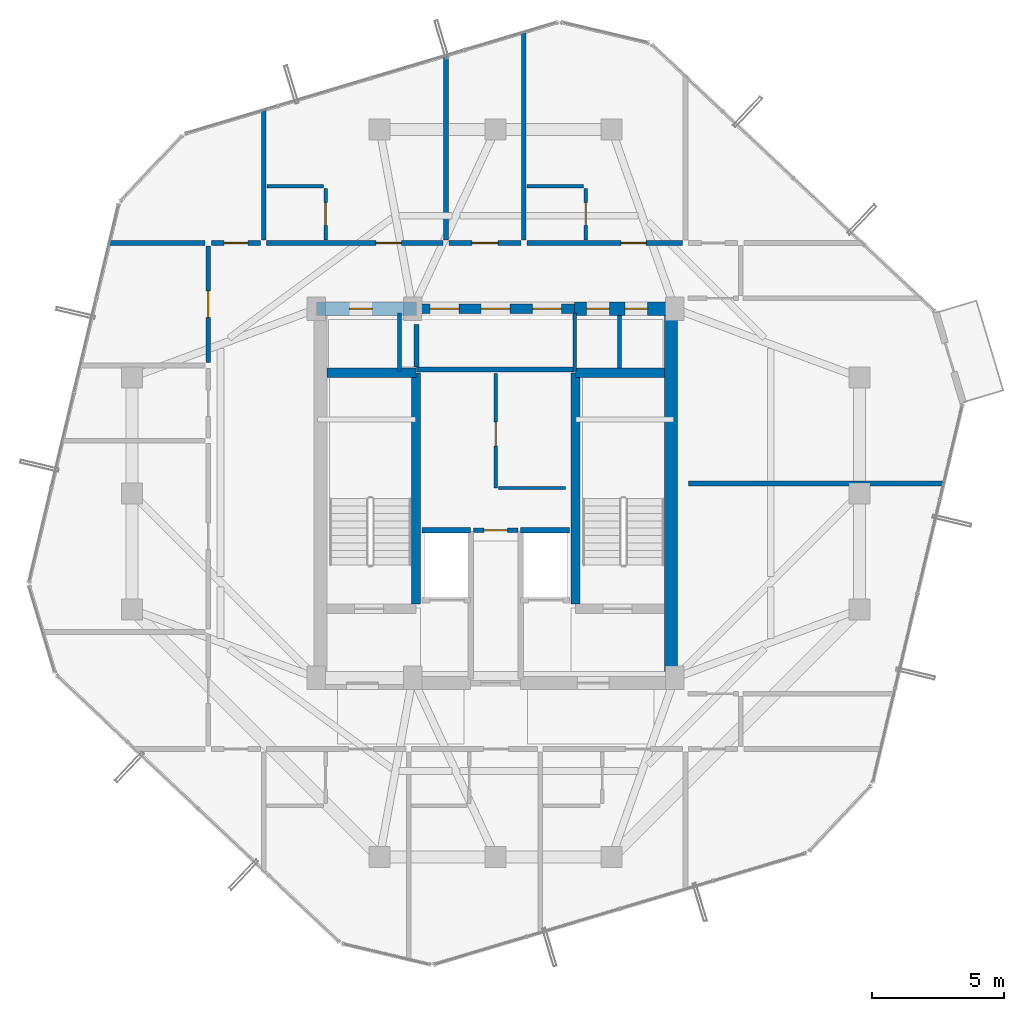
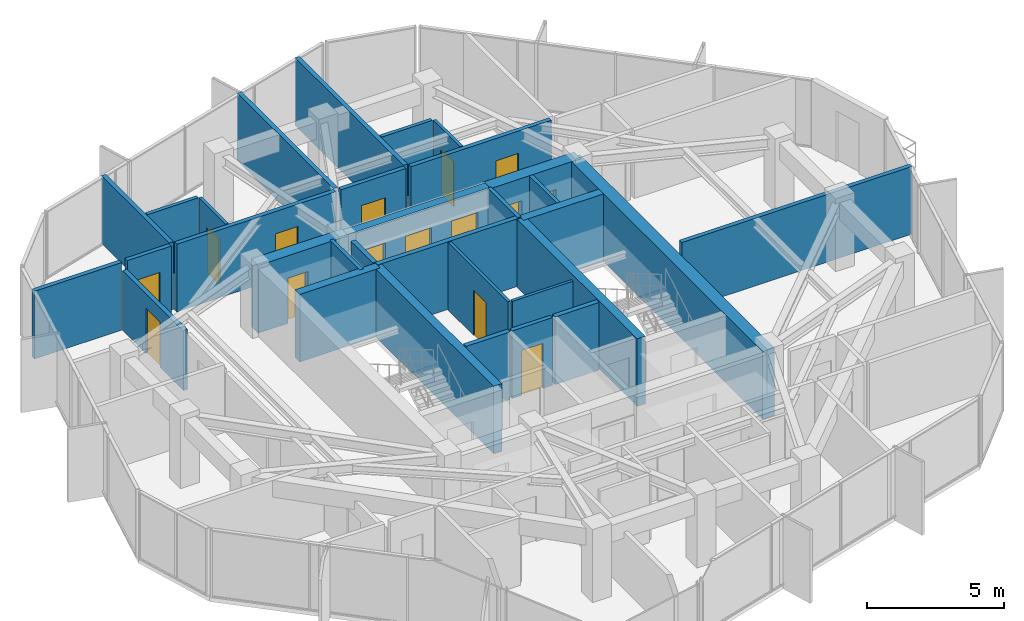
# One storey, part 25 of 28: 32 walls, 15 doors, 15 openings.
"""IFC4 building model written with IfcOpenShell, lengths in metres."""

from ifc_helpers import new_model, si_unit, direction, frame, frame_2d, origin, place, context, subcontext, project, spatial, rectangle, extrude, source, transform, mapped, material, layer, layer_set, type_object, element, fill, save


model = new_model("IFC4")

# Units and contexts
model_context = context("Model", 3, precision=1e-05, world=origin(), true_north=direction((0.0, 1.0)))
body_context = subcontext(model_context, "Body", "Model", "MODEL_VIEW")
ifc_project = project(units=[si_unit("LENGTHUNIT", "METRE"), si_unit("AREAUNIT", "SQUARE_METRE"), si_unit("VOLUMEUNIT", "CUBIC_METRE"), si_unit("PLANEANGLEUNIT", "RADIAN"), si_unit("MASSUNIT", "GRAM", prefix="KILO")], contexts=[model_context])

# Site, building, storey
site_placement = place(None, origin())
site = spatial("IfcSite", under=ifc_project, at=site_placement, CompositionType="ELEMENT")
building_placement = place(site_placement, origin())
building = spatial("IfcBuilding", under=site, at=building_placement, Name="Veraguas Prism Commons", CompositionType="ELEMENT")
storey_placement = place(building_placement, frame((0.0, 0.0, 254.5)))
storey = spatial("IfcBuildingStorey", under=building, at=storey_placement, Name="L72", CompositionType="ELEMENT", Elevation=254.5)

# Wall, openings, doors
ifc_material_1 = material(Name="Concrete C50/60", Category="concrete")
ifc_layer_1 = layer(ifc_material_1, 0.35009765625, Name="Core Internal Shear Wall Upper RC 350", Category="concrete")
ifc_layer_set_1 = layer_set([ifc_layer_1], Name="Concrete C50/60")
wall_type_1 = type_object("IfcWallType", Name="Core Internal Shear Wall Upper RC 350", PredefinedType="SHEAR", material=ifc_layer_set_1)
wall_1_placement = place(storey_placement, frame((21.0, 31.0, 0.0), z_axis=(0.0, 0.0, 1.0), x_axis=(1.0, 0.0, 0.0)))
wall_1 = element("IfcWall", 1, at=wall_1_placement, inside=storey, type_object=wall_type_1, Name="High-Rise Lift Bank Front Shear Wall L72", PredefinedType="SHEAR", context=body_context, shape_type="SweptSolid", body=[
    extrude(rectangle(XDim=6.0, YDim=0.35009765625, at=frame_2d((3.0, 0.0))), origin(), (0.0, 0.0, 1.0), 3.014892578125),
])
opening_1_placement = place(wall_1_placement, frame((0.5, 0.0, 0.0)))
opening_1 = element("IfcOpeningElement", 2, at=opening_1_placement, cuts=wall_1, Name="Opening LD-01", PredefinedType="OPENING", context=body_context, shape_type="SweptSolid", body=[
    extrude(rectangle(XDim=1.10009765625, YDim=2.080078125, at=frame_2d((0.550048828125, 1.0400390625))), frame((0.0, 0.18505859375, 0.0), z_axis=(0.0, -1.0, 0.0), x_axis=(1.0, 0.0, 0.0)), (0.0, 0.0, 1.0), 0.3701171875),
])
opening_2_placement = place(wall_1_placement, frame((2.449951171875, 0.0, 0.0)))
opening_2 = element("IfcOpeningElement", 3, at=opening_2_placement, cuts=wall_1, Name="Opening LD-01", PredefinedType="OPENING", context=body_context, shape_type="SweptSolid", body=[
    extrude(rectangle(XDim=1.10009765625, YDim=2.080078125, at=frame_2d((0.550048828125, 1.0400390625))), frame((0.0, 0.18505859375, 0.0), z_axis=(0.0, -1.0, 0.0), x_axis=(1.0, 0.0, 0.0)), (0.0, 0.0, 1.0), 0.3701171875),
])
opening_3_placement = place(wall_1_placement, frame((4.39990234375, 0.0, 0.0)))
opening_3 = element("IfcOpeningElement", 4, at=opening_3_placement, cuts=wall_1, Name="Opening LD-01", PredefinedType="OPENING", context=body_context, shape_type="SweptSolid", body=[
    extrude(rectangle(XDim=1.10009765625, YDim=2.080078125, at=frame_2d((0.550048828125, 1.0400390625))), frame((0.0, 0.18505859375, 0.0), z_axis=(0.0, -1.0, 0.0), x_axis=(1.0, 0.0, 0.0)), (0.0, 0.0, 1.0), 0.3701171875),
])
ifc_material_2 = material(Name="Stainless steel AISI 316", Category="steel")
door_type_1 = type_object("IfcDoorType", Name="Passenger Lift Sliding Landing Door 1100x2080", OperationType="NOTDEFINED", PredefinedType="DOOR", material=ifc_material_2)
shared_shape_1 = source(origin(), body_context, "Body", "SweptSolid", [
    extrude(rectangle(XDim=1.10009765625, YDim=2.080078125, at=frame_2d((0.550048828125, 1.0400390625))), frame((0.0, 0.02490234375, 0.0), z_axis=(0.0, -1.0, 0.0), x_axis=(1.0, 0.0, 0.0)), (0.0, 0.0, 1.0), 0.050048828125),
])
door_1_placement = place(opening_1_placement, origin())
door_1 = element("IfcDoor", 5, at=door_1_placement, inside=storey, type_object=door_type_1, Name="Sliding Landing Door PL-H1 L72", OperationType="SLIDING_TO_LEFT", OverallHeight=2.080078125, OverallWidth=1.10009765625, PredefinedType="DOOR", context=body_context, shape_type="MappedRepresentation", body=[
    mapped(shared_shape_1, transform((0.0, 0.0, 0.0), scale=1.0)),
])
fill(opening_1, door_1)
door_2_placement = place(opening_2_placement, origin())
door_2 = element("IfcDoor", 6, at=door_2_placement, inside=storey, type_object=door_type_1, Name="Sliding Landing Door PL-H2 L72", OperationType="SLIDING_TO_LEFT", OverallHeight=2.080078125, OverallWidth=1.10009765625, PredefinedType="DOOR", context=body_context, shape_type="MappedRepresentation", body=[
    mapped(shared_shape_1, transform((0.0, 0.0, 0.0), scale=1.0)),
])
fill(opening_2, door_2)
door_3_placement = place(opening_3_placement, origin())
door_3 = element("IfcDoor", 7, at=door_3_placement, inside=storey, type_object=door_type_1, Name="Sliding Landing Door PL-H3 L72", OperationType="SLIDING_TO_LEFT", OverallHeight=2.080078125, OverallWidth=1.10009765625, PredefinedType="DOOR", context=body_context, shape_type="MappedRepresentation", body=[
    mapped(shared_shape_1, transform((0.0, 0.0, 0.0), scale=1.0)),
])
fill(opening_3, door_3)

# Walls
for number, where, z_axis, x_axis, name in (
    (8, (20.97509765625, 19.800048828125, 0.0), (0.0, 0.0, 1.0), (0.0, 1.0, 0.0), "Stair ST-01 Inner Shear Wall L72"),
    (9, (27.02490234375, 19.800048828125, 0.0), (0.0, 0.0, 1.0), (0.0, 1.0, 0.0), "Stair ST-02 Inner Shear Wall L72"),
):
    element("IfcWall", number, at=place(storey_placement, frame(where, z_axis=z_axis, x_axis=x_axis)), inside=storey, type_object=wall_type_1, Name=name, PredefinedType="SHEAR", context=body_context, shape_type="SweptSolid", body=[
        extrude(rectangle(XDim=8.77490234375, YDim=0.35009765625, at=frame_2d((4.387451171875, 0.0))), origin(), (0.0, 0.0, 1.0), 3.014892578125),
    ])
for number, where, z_axis, x_axis, name in (
    (10, (17.60009765625, 28.574951171875, 0.0), (0.0, 0.0, 1.0), (1.0, 0.0, 0.0), "Stair ST-01 North Shear Wall L72"),
    (11, (27.02490234375, 28.574951171875, 0.0), (0.0, 0.0, 1.0), (1.0, 0.0, 0.0), "Stair ST-02 North Shear Wall L72"),
):
    element("IfcWall", number, at=place(storey_placement, frame(where, z_axis=z_axis, x_axis=x_axis)), inside=storey, type_object=wall_type_1, Name=name, PredefinedType="SHEAR", context=body_context, shape_type="SweptSolid", body=[
        extrude(rectangle(XDim=3.375, YDim=0.35009765625, at=frame_2d((1.6875, 0.0))), origin(), (0.0, 0.0, 1.0), 3.014892578125),
    ])
ifc_layer_2 = layer(ifc_material_1, 0.5, Name="Core Outer Shear Wall Upper RC 500", Category="concrete")
ifc_layer_set_2 = layer_set([ifc_layer_2], Name="Concrete C50/60")
wall_type_2 = type_object("IfcWallType", Name="Core Outer Shear Wall Upper RC 500", PredefinedType="SHEAR", material=ifc_layer_set_2)
wall_2_placement = place(storey_placement, frame((30.64990234375, 16.800048828125, 0.0), z_axis=(0.0, 0.0, 1.0), x_axis=(0.0, 1.0, 0.0)))
element("IfcWall", 12, at=wall_2_placement, inside=storey, type_object=wall_type_2, Name="Central Core East Shear Wall L72", PredefinedType="SHEAR", context=body_context, shape_type="SweptSolid", body=[
    extrude(rectangle(XDim=14.199951171875, YDim=0.5, at=frame_2d((7.10009765625, 0.0))), origin(), (0.0, 0.0, 1.0), 3.014892578125),
])

# Wall, opening, door
wall_3_placement = place(storey_placement, frame((17.199951171875, 31.0, 0.0), z_axis=(0.0, 0.0, 1.0), x_axis=(1.0, 0.0, 0.0)))
wall_3 = element("IfcWall", 13, at=wall_3_placement, inside=storey, type_object=wall_type_2, Name="Central Core North-West Shear Wall L72", PredefinedType="SHEAR", context=body_context, shape_type="SweptSolid", body=[
    extrude(rectangle(XDim=3.800048828125, YDim=0.5, at=frame_2d((1.89990234375, 0.0))), origin(), (0.0, 0.0, 1.0), 3.014892578125),
])
opening_4_placement = place(wall_3_placement, frame((1.25, 0.0, 0.0)))
opening_4 = element("IfcOpeningElement", 14, at=opening_4_placement, cuts=wall_3, Name="Opening DR-12", PredefinedType="OPENING", context=body_context, shape_type="SweptSolid", body=[
    extrude(rectangle(XDim=0.860107421875, YDim=2.010009765625, at=frame_2d((0.43017578125, 1.0048828125))), frame((0.0, 0.260009765625, 0.0), z_axis=(0.0, -1.0, 0.0), x_axis=(1.0, 0.0, 0.0)), (0.0, 0.0, 1.0), 0.52001953125),
])
ifc_material_3 = material(Name="Steel fire-rated door assembly", Category="steel")
door_type_2 = type_object("IfcDoorType", Name="Core WC Fire Door 860x2010", OperationType="NOTDEFINED", PredefinedType="DOOR", material=ifc_material_3)
shared_shape_2 = source(origin(), body_context, "Body", "SweptSolid", [
    extrude(rectangle(XDim=0.860107421875, YDim=2.010009765625, at=frame_2d((0.43017578125, 1.0048828125))), frame((0.0, 0.02490234375, 0.0), z_axis=(0.0, -1.0, 0.0), x_axis=(1.0, 0.0, 0.0)), (0.0, 0.0, 1.0), 0.050048828125),
])
door_4_placement = place(opening_4_placement, origin())
door_4 = element("IfcDoor", 15, at=door_4_placement, inside=storey, type_object=door_type_2, Name="Core NW Service Door L72", OperationType="SINGLE_SWING_RIGHT", OverallHeight=2.010009765625, OverallWidth=0.860107421875, PredefinedType="DOOR", context=body_context, shape_type="MappedRepresentation", body=[
    mapped(shared_shape_2, transform((0.0, 0.0, 0.0), scale=1.0)),
])
fill(opening_4, door_4)

# Wall, openings, doors
wall_4_placement = place(storey_placement, frame((27.0, 31.0, 0.0), z_axis=(0.0, 0.0, 1.0), x_axis=(1.0, 0.0, 0.0)))
wall_4 = element("IfcWall", 16, at=wall_4_placement, inside=storey, type_object=wall_type_2, Name="Central Core North-East Shear Wall L72", PredefinedType="SHEAR", context=body_context, shape_type="SweptSolid", body=[
    extrude(rectangle(XDim=3.800048828125, YDim=0.5, at=frame_2d((1.89990234375, 0.0))), origin(), (0.0, 0.0, 1.0), 3.014892578125),
])
opening_5_placement = place(wall_4_placement, frame((0.449951171875, 0.0, 0.0)))
opening_5 = element("IfcOpeningElement", 17, at=opening_5_placement, cuts=wall_4, Name="Opening DR-12", PredefinedType="OPENING", context=body_context, shape_type="SweptSolid", body=[
    extrude(rectangle(XDim=0.860107421875, YDim=2.010009765625, at=frame_2d((0.43017578125, 1.0048828125))), frame((0.0, 0.260009765625, 0.0), z_axis=(0.0, -1.0, 0.0), x_axis=(1.0, 0.0, 0.0)), (0.0, 0.0, 1.0), 0.52001953125),
])
opening_6_placement = place(wall_4_placement, frame((1.89990234375, 0.0, 0.0)))
opening_6 = element("IfcOpeningElement", 18, at=opening_6_placement, cuts=wall_4, Name="Opening DR-12", PredefinedType="OPENING", context=body_context, shape_type="SweptSolid", body=[
    extrude(rectangle(XDim=0.860107421875, YDim=2.010009765625, at=frame_2d((0.43017578125, 1.0048828125))), frame((0.0, 0.260009765625, 0.0), z_axis=(0.0, -1.0, 0.0), x_axis=(1.0, 0.0, 0.0)), (0.0, 0.0, 1.0), 0.52001953125),
])
door_5_placement = place(opening_5_placement, origin())
door_5 = element("IfcDoor", 19, at=door_5_placement, inside=storey, type_object=door_type_2, Name="Core NE Room A Door L72", OperationType="SINGLE_SWING_LEFT", OverallHeight=2.010009765625, OverallWidth=0.860107421875, PredefinedType="DOOR", context=body_context, shape_type="MappedRepresentation", body=[
    mapped(shared_shape_2, transform((0.0, 0.0, 0.0), scale=1.0)),
])
fill(opening_5, door_5)
door_6_placement = place(opening_6_placement, origin())
door_6 = element("IfcDoor", 20, at=door_6_placement, inside=storey, type_object=door_type_2, Name="Core NE Room B Door L72", OperationType="SINGLE_SWING_RIGHT", OverallHeight=2.010009765625, OverallWidth=0.860107421875, PredefinedType="DOOR", context=body_context, shape_type="MappedRepresentation", body=[
    mapped(shared_shape_2, transform((0.0, 0.0, 0.0), scale=1.0)),
])
fill(opening_6, door_6)

# Wall, opening, door
ifc_material_4 = material(Name="Autoclaved aerated masonry block 10 MPa", Category="masonry")
ifc_layer_3 = layer(ifc_material_4, 0.179931640625, Name="Corridor and Inter-Tenancy Partition 180", Category="masonry")
ifc_layer_set_3 = layer_set([ifc_layer_3], Name="Autoclaved aerated masonry block 10 MPa")
wall_type_3 = type_object("IfcWallType", Name="Corridor and Inter-Tenancy Partition 180", PredefinedType="PARTITIONING", material=ifc_layer_set_3)
wall_5_placement = place(storey_placement, frame((23.14990234375, 22.60009765625, 0.0), z_axis=(0.0, 0.0, 1.0), x_axis=(1.0, 0.0, 0.0)))
wall_5 = element("IfcWall", 21, at=wall_5_placement, inside=storey, type_object=wall_type_3, Name="Core Suite Entry Wall L72", PredefinedType="PARTITIONING", context=body_context, shape_type="SweptSolid", body=[
    extrude(rectangle(XDim=1.7001953125, YDim=0.179931640625, at=frame_2d((0.85009765625, 0.0))), origin(), (0.0, 0.0, 1.0), 3.014892578125),
])
opening_7_placement = place(wall_5_placement, frame((0.39990234375, 0.0, 0.0)))
opening_7 = element("IfcOpeningElement", 22, at=opening_7_placement, cuts=wall_5, Name="Opening DR-14", PredefinedType="OPENING", context=body_context, shape_type="SweptSolid", body=[
    extrude(rectangle(XDim=0.89990234375, YDim=2.010009765625, at=frame_2d((0.449951171875, 1.0048828125))), frame((0.0, 0.099853515625, 0.0), z_axis=(0.0, -1.0, 0.0), x_axis=(1.0, 0.0, 0.0)), (0.0, 0.0, 1.0), 0.199951171875),
])
door_type_3 = type_object("IfcDoorType", Name="Core Service Room Fire Door 900x2010", OperationType="NOTDEFINED", PredefinedType="DOOR", material=ifc_material_3)
shared_shape_3 = source(origin(), body_context, "Body", "SweptSolid", [
    extrude(rectangle(XDim=0.89990234375, YDim=2.010009765625, at=frame_2d((0.449951171875, 1.0048828125))), frame((0.0, 0.02490234375, 0.0), z_axis=(0.0, -1.0, 0.0), x_axis=(1.0, 0.0, 0.0)), (0.0, 0.0, 1.0), 0.050048828125),
])
door_7_placement = place(opening_7_placement, origin())
door_7 = element("IfcDoor", 23, at=door_7_placement, inside=storey, type_object=door_type_3, Name="Core Suite Entry Door L72", OperationType="SINGLE_SWING_LEFT", OverallHeight=2.010009765625, OverallWidth=0.89990234375, PredefinedType="DOOR", context=body_context, shape_type="MappedRepresentation", body=[
    mapped(shared_shape_3, transform((0.0, 0.0, 0.0), scale=1.0)),
])
fill(opening_7, door_7)

# Wall
wall_6_placement = place(storey_placement, frame((15.199951171875, 33.6201171875, 0.0), z_axis=(0.0, 0.0, 1.0), x_axis=(0.0, 1.0, 0.0)))
element("IfcWall", 24, at=wall_6_placement, inside=storey, type_object=wall_type_3, Name="WL-L72-PT014", PredefinedType="PARTITIONING", context=body_context, shape_type="SweptSolid", body=[
    extrude(rectangle(XDim=4.953369140625, YDim=0.179931640625, at=frame_2d((2.4765625, 0.0))), origin(), (0.0, 0.0, 1.0), 3.014892578125),
])

# Wall, opening, door
wall_7_placement = place(storey_placement, frame((22.22998046875, 33.5, 0.0), z_axis=(0.0, 0.0, 1.0), x_axis=(1.0, 0.0, 0.0)))
wall_7 = element("IfcWall", 25, at=wall_7_placement, inside=storey, type_object=wall_type_3, Name="WL-L72-PT016", PredefinedType="PARTITIONING", context=body_context, shape_type="SweptSolid", body=[
    extrude(rectangle(XDim=2.72998046875, YDim=0.179931640625, at=frame_2d((1.364990234375, 0.0))), origin(), (0.0, 0.0, 1.0), 3.014892578125),
])
opening_8_placement = place(wall_7_placement, frame((0.864990234375, 0.0, 0.0)))
opening_8 = element("IfcOpeningElement", 26, at=opening_8_placement, cuts=wall_7, Name="Opening DR-13", PredefinedType="OPENING", context=body_context, shape_type="SweptSolid", body=[
    extrude(rectangle(XDim=1.0, YDim=2.010009765625, at=frame_2d((0.5, 1.0048828125))), frame((0.0, 0.099853515625, 0.0), z_axis=(0.0, -1.0, 0.0), x_axis=(1.0, 0.0, 0.0)), (0.0, 0.0, 1.0), 0.199951171875),
])
door_type_4 = type_object("IfcDoorType", Name="Core Accessible WC and Clinic Fire Door 1000x2010", OperationType="NOTDEFINED", PredefinedType="DOOR", material=ifc_material_3)
shared_shape_4 = source(origin(), body_context, "Body", "SweptSolid", [
    extrude(rectangle(XDim=1.0, YDim=2.010009765625, at=frame_2d((0.5, 1.0048828125))), frame((0.0, 0.02490234375, 0.0), z_axis=(0.0, -1.0, 0.0), x_axis=(1.0, 0.0, 0.0)), (0.0, 0.0, 1.0), 0.050048828125),
])
door_8_placement = place(opening_8_placement, origin())
door_8 = element("IfcDoor", 27, at=door_8_placement, inside=storey, type_object=door_type_4, Name="Quiet Study N Door", OperationType="SINGLE_SWING_LEFT", OverallHeight=2.010009765625, OverallWidth=1.0, PredefinedType="DOOR", context=body_context, shape_type="MappedRepresentation", body=[
    mapped(shared_shape_4, transform((0.0, 0.0, 0.0), scale=1.0)),
])
fill(opening_8, door_8)

# Wall
wall_8_placement = place(storey_placement, frame((22.1201171875, 33.6201171875, 0.0), z_axis=(0.0, 0.0, 1.0), x_axis=(0.0, 1.0, 0.0)))
element("IfcWall", 28, at=wall_8_placement, inside=storey, type_object=wall_type_3, Name="WL-L72-PT017", PredefinedType="PARTITIONING", context=body_context, shape_type="SweptSolid", body=[
    extrude(rectangle(XDim=7.024169921875, YDim=0.179931640625, at=frame_2d((3.51220703125, 0.0))), origin(), (0.0, 0.0, 1.0), 3.014892578125),
])

# Wall, opening, door
wall_9_placement = place(storey_placement, frame((15.31005859375, 33.5, 0.0), z_axis=(0.0, 0.0, 1.0), x_axis=(1.0, 0.0, 0.0)))
wall_9 = element("IfcWall", 29, at=wall_9_placement, inside=storey, type_object=wall_type_3, Name="WL-L72-PT018", PredefinedType="PARTITIONING", context=body_context, shape_type="SweptSolid", body=[
    extrude(rectangle(XDim=6.699951171875, YDim=0.179931640625, at=frame_2d((3.35009765625, 0.0))), origin(), (0.0, 0.0, 1.0), 3.014892578125),
])
opening_9_placement = place(wall_9_placement, frame((4.158935546875, 0.0, 0.0)))
opening_9 = element("IfcOpeningElement", 30, at=opening_9_placement, cuts=wall_9, Name="Opening DR-01", PredefinedType="OPENING", context=body_context, shape_type="SweptSolid", body=[
    extrude(rectangle(XDim=0.949951171875, YDim=2.02001953125, at=frame_2d((0.47509765625, 1.010009765625))), frame((0.0, 0.099853515625, 0.0), z_axis=(0.0, -1.0, 0.0), x_axis=(1.0, 0.0, 0.0)), (0.0, 0.0, 1.0), 0.199951171875),
])
ifc_material_5 = material(Name="Anodised aluminium EN AW-6063 T6", Category="aluminium")
door_type_5 = type_object("IfcDoorType", Name="Apartment Entrance Fire Door 950x2020", OperationType="NOTDEFINED", PredefinedType="DOOR", material=ifc_material_5)
shared_shape_5 = source(origin(), body_context, "Body", "SweptSolid", [
    extrude(rectangle(XDim=0.949951171875, YDim=2.02001953125, at=frame_2d((0.47509765625, 1.010009765625))), frame((0.0, 0.02490234375, 0.0), z_axis=(0.0, -1.0, 0.0), x_axis=(1.0, 0.0, 0.0)), (0.0, 0.0, 1.0), 0.050048828125),
])
door_9_placement = place(opening_9_placement, origin())
door_9 = element("IfcDoor", 31, at=door_9_placement, inside=storey, type_object=door_type_5, Name="Studio 72D Entrance Door", OperationType="SINGLE_SWING_RIGHT", OverallHeight=2.02001953125, OverallWidth=0.949951171875, PredefinedType="DOOR", context=body_context, shape_type="MappedRepresentation", body=[
    mapped(shared_shape_5, transform((0.0, 0.0, 0.0), scale=1.0)),
])
fill(opening_9, door_9)

# Wall
wall_10_placement = place(storey_placement, frame((25.070068359375, 33.6201171875, 0.0), z_axis=(0.0, 0.0, 1.0), x_axis=(0.0, 1.0, 0.0)))
element("IfcWall", 32, at=wall_10_placement, inside=storey, type_object=wall_type_3, Name="WL-L72-PT021", PredefinedType="PARTITIONING", context=body_context, shape_type="SweptSolid", body=[
    extrude(rectangle(XDim=7.906982421875, YDim=0.179931640625, at=frame_2d((3.95361328125, 0.0))), origin(), (0.0, 0.0, 1.0), 3.014892578125),
])

# Wall, opening, door
wall_11_placement = place(storey_placement, frame((25.179931640625, 33.5, 0.0), z_axis=(0.0, 0.0, 1.0), x_axis=(1.0, 0.0, 0.0)))
wall_11 = element("IfcWall", 33, at=wall_11_placement, inside=storey, type_object=wall_type_3, Name="WL-L72-PT022", PredefinedType="PARTITIONING", context=body_context, shape_type="SweptSolid", body=[
    extrude(rectangle(XDim=5.91015625, YDim=0.179931640625, at=frame_2d((2.955078125, 0.0))), origin(), (0.0, 0.0, 1.0), 3.014892578125),
])
opening_10_placement = place(wall_11_placement, frame((3.574462890625, 0.0, 0.0)))
opening_10 = element("IfcOpeningElement", 34, at=opening_10_placement, cuts=wall_11, Name="Opening DR-01", PredefinedType="OPENING", context=body_context, shape_type="SweptSolid", body=[
    extrude(rectangle(XDim=0.949951171875, YDim=2.02001953125, at=frame_2d((0.47509765625, 1.010009765625))), frame((0.0, 0.099853515625, 0.0), z_axis=(0.0, -1.0, 0.0), x_axis=(1.0, 0.0, 0.0)), (0.0, 0.0, 1.0), 0.199951171875),
])
door_10_placement = place(opening_10_placement, origin())
door_10 = element("IfcDoor", 35, at=door_10_placement, inside=storey, type_object=door_type_5, Name="Studio 72E Entrance Door", OperationType="SINGLE_SWING_RIGHT", OverallHeight=2.02001953125, OverallWidth=0.949951171875, PredefinedType="DOOR", context=body_context, shape_type="MappedRepresentation", body=[
    mapped(shared_shape_5, transform((0.0, 0.0, 0.0), scale=1.0)),
])
fill(opening_10, door_10)

# Wall
wall_12_placement = place(storey_placement, frame((12.97998046875, 33.5, 0.0), z_axis=(0.0, 0.0, 1.0), x_axis=(-1.0, 0.0, 0.0)))
element("IfcWall", 36, at=wall_12_placement, inside=storey, type_object=wall_type_3, Name="WL-L72-PT026", PredefinedType="PARTITIONING", context=body_context, shape_type="SweptSolid", body=[
    extrude(rectangle(XDim=3.6689453125, YDim=0.179931640625, at=frame_2d((1.83447265625, 0.0))), origin(), (0.0, 0.0, 1.0), 3.014892578125),
])

# Wall, opening, door
wall_13_placement = place(storey_placement, frame((13.10009765625, 28.9560546875, 0.0), z_axis=(0.0, 0.0, 1.0), x_axis=(0.0, 1.0, 0.0)))
wall_13 = element("IfcWall", 37, at=wall_13_placement, inside=storey, type_object=wall_type_3, Name="WL-L72-PT032", PredefinedType="PARTITIONING", context=body_context, shape_type="SweptSolid", body=[
    extrude(rectangle(XDim=4.433837890625, YDim=0.179931640625, at=frame_2d((2.216796875, 0.0))), origin(), (0.0, 0.0, 1.0), 2.662109375),
])
opening_11_placement = place(wall_13_placement, frame((1.717041015625, 0.0, 0.0)))
opening_11 = element("IfcOpeningElement", 38, at=opening_11_placement, cuts=wall_13, Name="Opening DR-13", PredefinedType="OPENING", context=body_context, shape_type="SweptSolid", body=[
    extrude(rectangle(XDim=1.0, YDim=2.010009765625, at=frame_2d((0.5, 1.0048828125))), frame((0.0, 0.099853515625, 0.0), z_axis=(0.0, -1.0, 0.0), x_axis=(1.0, 0.0, 0.0)), (0.0, 0.0, 1.0), 0.199951171875),
])
door_11_placement = place(opening_11_placement, origin())
door_11 = element("IfcDoor", 39, at=door_11_placement, inside=storey, type_object=door_type_4, Name="Co-op Store W Door", OperationType="SINGLE_SWING_LEFT", OverallHeight=2.010009765625, OverallWidth=1.0, PredefinedType="DOOR", context=body_context, shape_type="MappedRepresentation", body=[
    mapped(shared_shape_4, transform((0.0, 0.0, 0.0), scale=1.0)),
])
fill(opening_11, door_11)

# Wall
wall_14_placement = place(storey_placement, frame((31.320068359375, 24.375, 0.0), z_axis=(0.0, 0.0, 1.0), x_axis=(1.0, 0.0, 0.0)))
element("IfcWall", 40, at=wall_14_placement, inside=storey, type_object=wall_type_3, Name="WL-L72-PT034", PredefinedType="PARTITIONING", context=body_context, shape_type="SweptSolid", body=[
    extrude(rectangle(XDim=9.71044921875, YDim=0.179931640625, at=frame_2d((4.855224609375, 0.0))), origin(), (0.0, 0.0, 1.0), 3.014892578125),
])

# Wall, opening, door
wall_15_placement = place(storey_placement, frame((13.219970703125, 33.5, 0.0), z_axis=(0.0, 0.0, 1.0), x_axis=(1.0, 0.0, 0.0)))
wall_15 = element("IfcWall", 41, at=wall_15_placement, inside=storey, type_object=wall_type_3, Name="WL-L72-PT044", PredefinedType="PARTITIONING", context=body_context, shape_type="SweptSolid", body=[
    extrude(rectangle(XDim=1.860107421875, YDim=0.179931640625, at=frame_2d((0.93017578125, 0.0))), origin(), (0.0, 0.0, 1.0), 3.014892578125),
])
opening_12_placement = place(wall_15_placement, frame((0.47998046875, 0.0, 0.0)))
opening_12 = element("IfcOpeningElement", 42, at=opening_12_placement, cuts=wall_15, Name="Opening DR-14", PredefinedType="OPENING", context=body_context, shape_type="SweptSolid", body=[
    extrude(rectangle(XDim=0.89990234375, YDim=2.010009765625, at=frame_2d((0.449951171875, 1.0048828125))), frame((0.0, 0.099853515625, 0.0), z_axis=(0.0, -1.0, 0.0), x_axis=(1.0, 0.0, 0.0)), (0.0, 0.0, 1.0), 0.199951171875),
])
door_12_placement = place(opening_12_placement, origin())
door_12 = element("IfcDoor", 43, at=door_12_placement, inside=storey, type_object=door_type_3, Name="Residents Cycle and Pram Store NW Door", OperationType="SINGLE_SWING_RIGHT", OverallHeight=2.010009765625, OverallWidth=0.89990234375, PredefinedType="DOOR", context=body_context, shape_type="MappedRepresentation", body=[
    mapped(shared_shape_3, transform((0.0, 0.0, 0.0), scale=1.0)),
])
fill(opening_12, door_12)

# Wall
ifc_material_6 = material(Name="Lightweight acoustic gypsum board")
ifc_layer_4 = layer(ifc_material_6, 0.125, Name="Internal Apartment Room Partition 125")
ifc_layer_set_4 = layer_set([ifc_layer_4], Name="Lightweight acoustic gypsum board")
wall_type_4 = type_object("IfcWallType", Name="Internal Apartment Room Partition 125", PredefinedType="PARTITIONING", material=ifc_layer_set_4)
wall_16_placement = place(storey_placement, frame((24.10009765625, 24.199951171875, 0.0), z_axis=(0.0, 0.0, 1.0), x_axis=(1.0, 0.0, 0.0)))
element("IfcWall", 44, at=wall_16_placement, inside=storey, type_object=wall_type_4, Name="Telehealth Pod South Wall L72", PredefinedType="PARTITIONING", context=body_context, shape_type="SweptSolid", body=[
    extrude(rectangle(XDim=2.5498046875, YDim=0.125, at=frame_2d((1.27490234375, 0.0))), origin(), (0.0, 0.0, 1.0), 3.014892578125),
])

# Wall, opening, door
wall_17_placement = place(storey_placement, frame((24.0, 24.199951171875, 0.0), z_axis=(0.0, 0.0, 1.0), x_axis=(0.0, 1.0, 0.0)))
wall_17 = element("IfcWall", 45, at=wall_17_placement, inside=storey, type_object=wall_type_4, Name="Telehealth Pod West Wall L72", PredefinedType="PARTITIONING", context=body_context, shape_type="SweptSolid", body=[
    extrude(rectangle(XDim=4.35009765625, YDim=0.125, at=frame_2d((2.175048828125, 0.0))), origin(), (0.0, 0.0, 1.0), 3.014892578125),
])
opening_13_placement = place(wall_17_placement, frame((1.60009765625, 0.0, 0.0)))
opening_13 = element("IfcOpeningElement", 46, at=opening_13_placement, cuts=wall_17, Name="Opening DR-02", PredefinedType="OPENING", context=body_context, shape_type="SweptSolid", body=[
    extrude(rectangle(XDim=0.89990234375, YDim=2.010009765625, at=frame_2d((0.449951171875, 1.0048828125))), frame((0.0, 0.072509765625, 0.0), z_axis=(0.0, -1.0, 0.0), x_axis=(1.0, 0.0, 0.0)), (0.0, 0.0, 1.0), 0.14501953125),
])
ifc_material_7 = material(Name="Timber solid core hardwood", Category="wood")
door_type_6 = type_object("IfcDoorType", Name="Internal Habitable Room Door 900x2010", OperationType="NOTDEFINED", PredefinedType="DOOR", material=ifc_material_7)
door_13_placement = place(opening_13_placement, origin())
door_13 = element("IfcDoor", 47, at=door_13_placement, inside=storey, type_object=door_type_6, Name="Telehealth Pod Door L72", OperationType="SINGLE_SWING_RIGHT", OverallHeight=2.010009765625, OverallWidth=0.89990234375, PredefinedType="DOOR", context=body_context, shape_type="MappedRepresentation", body=[
    mapped(shared_shape_3, transform((0.0, 0.0, 0.0), scale=1.0)),
])
fill(opening_13, door_13)

wall_18_placement = place(storey_placement, frame((17.550048828125, 33.6201171875, 0.0), z_axis=(0.0, 0.0, 1.0), x_axis=(0.0, 1.0, 0.0)))
wall_18 = element("IfcWall", 48, at=wall_18_placement, inside=storey, type_object=wall_type_4, Name="WL-L72-PT019", PredefinedType="PARTITIONING", context=body_context, shape_type="SweptSolid", body=[
    extrude(rectangle(XDim=1.949951171875, YDim=0.125, at=frame_2d((0.97509765625, 0.0))), origin(), (0.0, 0.0, 1.0), 3.014892578125),
])
opening_14_placement = place(wall_18_placement, frame((0.544921875, 0.0, 0.0)))
opening_14 = element("IfcOpeningElement", 49, at=opening_14_placement, cuts=wall_18, Name="Opening DR-03", PredefinedType="OPENING", context=body_context, shape_type="SweptSolid", body=[
    extrude(rectangle(XDim=0.860107421875, YDim=2.010009765625, at=frame_2d((0.43017578125, 1.0048828125))), frame((0.0, 0.072509765625, 0.0), z_axis=(0.0, -1.0, 0.0), x_axis=(1.0, 0.0, 0.0)), (0.0, 0.0, 1.0), 0.14501953125),
])
ifc_material_8 = material(Name="Timber moisture-resistant leaf", Category="wood")
door_type_7 = type_object("IfcDoorType", Name="Internal Bathroom Door 860x2010", OperationType="NOTDEFINED", PredefinedType="DOOR", material=ifc_material_8)
door_14_placement = place(opening_14_placement, origin())
door_14 = element("IfcDoor", 50, at=door_14_placement, inside=storey, type_object=door_type_7, Name="Studio 72D Bathroom Door", OperationType="SINGLE_SWING_LEFT", OverallHeight=2.010009765625, OverallWidth=0.860107421875, PredefinedType="DOOR", context=body_context, shape_type="MappedRepresentation", body=[
    mapped(shared_shape_2, transform((0.0, 0.0, 0.0), scale=1.0)),
])
fill(opening_14, door_14)

wall_19_placement = place(storey_placement, frame((27.419921875, 33.6201171875, 0.0), z_axis=(0.0, 0.0, 1.0), x_axis=(0.0, 1.0, 0.0)))
wall_19 = element("IfcWall", 51, at=wall_19_placement, inside=storey, type_object=wall_type_4, Name="WL-L72-PT023", PredefinedType="PARTITIONING", context=body_context, shape_type="SweptSolid", body=[
    extrude(rectangle(XDim=1.949951171875, YDim=0.125, at=frame_2d((0.97509765625, 0.0))), origin(), (0.0, 0.0, 1.0), 3.014892578125),
])
opening_15_placement = place(wall_19_placement, frame((0.544921875, 0.0, 0.0)))
opening_15 = element("IfcOpeningElement", 52, at=opening_15_placement, cuts=wall_19, Name="Opening DR-03", PredefinedType="OPENING", context=body_context, shape_type="SweptSolid", body=[
    extrude(rectangle(XDim=0.860107421875, YDim=2.010009765625, at=frame_2d((0.43017578125, 1.0048828125))), frame((0.0, 0.072509765625, 0.0), z_axis=(0.0, -1.0, 0.0), x_axis=(1.0, 0.0, 0.0)), (0.0, 0.0, 1.0), 0.14501953125),
])
door_15_placement = place(opening_15_placement, origin())
door_15 = element("IfcDoor", 53, at=door_15_placement, inside=storey, type_object=door_type_7, Name="Studio 72E Bathroom Door", OperationType="SINGLE_SWING_LEFT", OverallHeight=2.010009765625, OverallWidth=0.860107421875, PredefinedType="DOOR", context=body_context, shape_type="MappedRepresentation", body=[
    mapped(shared_shape_2, transform((0.0, 0.0, 0.0), scale=1.0)),
])
fill(opening_15, door_15)

# Walls
ifc_layer_5 = layer(ifc_material_4, 0.199951171875, Name="Rated Shaft and Lobby Block Wall 200", Category="masonry")
ifc_layer_set_5 = layer_set([ifc_layer_5], Name="Autoclaved aerated masonry block 10 MPa")
wall_type_5 = type_object("IfcWallType", Name="Rated Shaft and Lobby Block Wall 200", PredefinedType="SOLIDWALL", material=ifc_layer_set_5)
for number, where, z_axis, x_axis, name in (
    (54, (21.199951171875, 22.60009765625, 0.0), (0.0, 0.0, 1.0), (1.0, 0.0, 0.0), "Firefighting Lift FFL-1 Rear Wall L72"),
    (55, (24.949951171875, 22.60009765625, 0.0), (0.0, 0.0, 1.0), (1.0, 0.0, 0.0), "Firefighting Lift FFL-2 Rear Wall L72"),
):
    element("IfcWall", number, at=place(storey_placement, frame(where, z_axis=z_axis, x_axis=x_axis)), inside=storey, type_object=wall_type_5, Name=name, PredefinedType="SOLIDWALL", context=body_context, shape_type="SweptSolid", body=[
        extrude(rectangle(XDim=1.85009765625, YDim=0.199951171875, at=frame_2d((0.925048828125, 0.0))), origin(), (0.0, 0.0, 1.0), 3.014892578125),
    ])
wall_20_placement = place(storey_placement, frame((21.0, 28.699951171875, 0.0), z_axis=(0.0, 0.0, 1.0), x_axis=(1.0, 0.0, 0.0)))
element("IfcWall", 56, at=wall_20_placement, inside=storey, type_object=wall_type_5, Name="High-Rise Lift Bank Rear Shaft Wall L72", PredefinedType="SOLIDWALL", context=body_context, shape_type="SweptSolid", body=[
    extrude(rectangle(XDim=6.0, YDim=0.199951171875, at=frame_2d((3.0, 0.0))), origin(), (0.0, 0.0, 1.0), 3.014892578125),
])
wall_21_placement = place(storey_placement, frame((21.0, 28.800048828125, 0.0), z_axis=(0.0, 0.0, 1.0), x_axis=(0.0, 1.0, 0.0)))
element("IfcWall", 57, at=wall_21_placement, inside=storey, type_object=wall_type_5, Name="High-Rise Lift Bank West Shaft Wall L72", PredefinedType="SOLIDWALL", context=body_context, shape_type="SweptSolid", body=[
    extrude(rectangle(XDim=1.599853515625, YDim=0.199951171875, at=frame_2d((0.7998046875, 0.0))), origin(), (0.0, 0.0, 1.0), 3.014892578125),
])
ifc_layer_6 = layer(ifc_material_6, 0.14990234375, Name="Wet Room and Clinic Acoustic Partition 150")
ifc_layer_set_6 = layer_set([ifc_layer_6], Name="Lightweight acoustic gypsum board")
wall_type_6 = type_object("IfcWallType", Name="Wet Room and Clinic Acoustic Partition 150", PredefinedType="PARTITIONING", material=ifc_layer_set_6)
for number, where, z_axis, x_axis, name in (
    (58, (20.35009765625, 28.64990234375, 0.0), (0.0, 0.0, 1.0), (0.0, 1.0, 0.0), "Core NW Service Inner Wall L72"),
    (59, (27.0, 28.64990234375, 0.0), (0.0, 0.0, 1.0), (0.0, 1.0, 0.0), "Core NE Service Inner Wall L72"),
):
    element("IfcWall", number, at=place(storey_placement, frame(where, z_axis=z_axis, x_axis=x_axis)), inside=storey, type_object=wall_type_6, Name=name, PredefinedType="PARTITIONING", context=body_context, shape_type="SweptSolid", body=[
        extrude(rectangle(XDim=2.2001953125, YDim=0.14990234375, at=frame_2d((1.10009765625, 0.0))), origin(), (0.0, 0.0, 1.0), 3.014892578125),
    ])
wall_22_placement = place(storey_placement, frame((28.699951171875, 28.75, 0.0), z_axis=(0.0, 0.0, 1.0), x_axis=(0.0, 1.0, 0.0)))
element("IfcWall", 60, at=wall_22_placement, inside=storey, type_object=wall_type_6, Name="WL-L72-CSVD1", PredefinedType="PARTITIONING", context=body_context, shape_type="SweptSolid", body=[
    extrude(rectangle(XDim=2.0, YDim=0.14990234375, at=frame_2d((1.0, 0.0))), origin(), (0.0, 0.0, 1.0), 3.014892578125),
])
wall_23_placement = place(storey_placement, frame((15.320068359375, 35.64990234375, 0.0), z_axis=(0.0, 0.0, 1.0), x_axis=(1.0, 0.0, 0.0)))
element("IfcWall", 61, at=wall_23_placement, inside=storey, type_object=wall_type_6, Name="WL-L72-PT020", PredefinedType="PARTITIONING", context=body_context, shape_type="SweptSolid", body=[
    extrude(rectangle(XDim=2.14990234375, YDim=0.14990234375, at=frame_2d((1.074951171875, 0.0))), origin(), (0.0, 0.0, 1.0), 3.014892578125),
])
wall_24_placement = place(storey_placement, frame((25.18994140625, 35.64990234375, 0.0), z_axis=(0.0, 0.0, 1.0), x_axis=(1.0, 0.0, 0.0)))
element("IfcWall", 62, at=wall_24_placement, inside=storey, type_object=wall_type_6, Name="WL-L72-PT024", PredefinedType="PARTITIONING", context=body_context, shape_type="SweptSolid", body=[
    extrude(rectangle(XDim=2.150146484375, YDim=0.14990234375, at=frame_2d((1.0751953125, 0.0))), origin(), (0.0, 0.0, 1.0), 3.014892578125),
])

save(model, "model.ifc")
